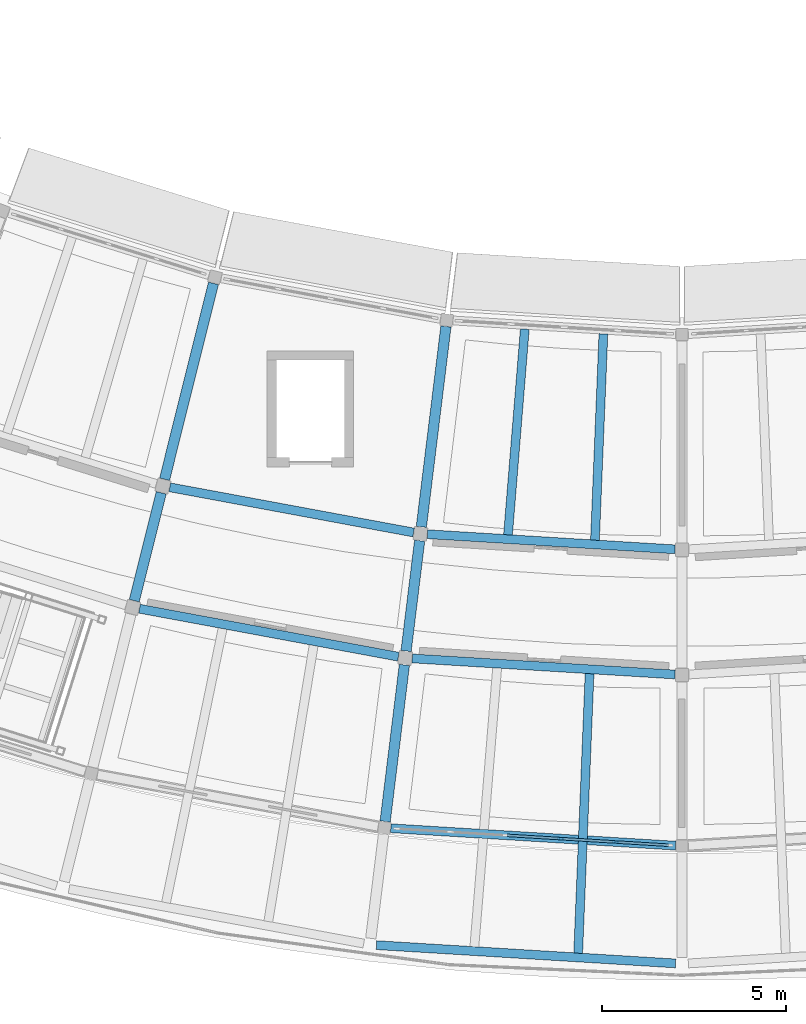
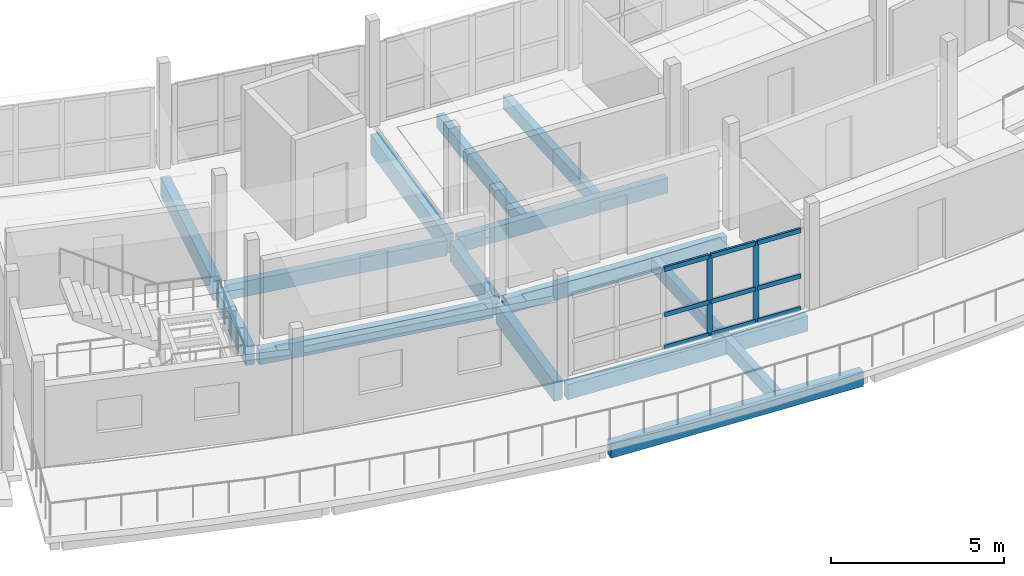
# One storey, part 8 of 24: 14 beams, 11 members, 1 element without a shape of its own.
"""IFC4 building model written with IfcOpenShell, lengths in metres."""

from ifc_helpers import new_model, si_unit, direction, frame, origin, origin_2d, place, context, subcontext, project, spatial, rectangle, extrude, material, layer, layer_set, material_profile, profile_set, type_object, element, aggregate, save


model = new_model("IFC4")

# Units and contexts
model_context = context("Model", 3, precision=1e-05, world=origin(), true_north=direction((0.0, 1.0)))
body_context = subcontext(model_context, "Body", "Model", "MODEL_VIEW")
ifc_project = project(units=[si_unit("LENGTHUNIT", "METRE"), si_unit("AREAUNIT", "SQUARE_METRE"), si_unit("VOLUMEUNIT", "CUBIC_METRE"), si_unit("PLANEANGLEUNIT", "RADIAN"), si_unit("MASSUNIT", "GRAM", prefix="KILO")], contexts=[model_context])

# Site, building, storey
site_placement = place(None, origin())
site = spatial("IfcSite", under=ifc_project, at=site_placement, CompositionType="ELEMENT")
building_placement = place(site_placement, origin())
building = spatial("IfcBuilding", under=site, at=building_placement, Name="Caldaven Crescent School", CompositionType="ELEMENT")
storey_placement = place(building_placement, frame((0.0, 0.0, 15.639892578125)))
storey = spatial("IfcBuildingStorey", under=building, at=storey_placement, Name="L04", CompositionType="ELEMENT", Elevation=15.639892578125)

# Beams
ifc_material_1 = material(Name="Glulam MLE24h (GL28h)", Category="wood")
ifc_material_profile_1 = material_profile(ifc_material_1, rectangle(XDim=0.239990234375, YDim=0.5400390625, at=origin_2d()), Name="MLE 240x540")
ifc_profile_set_1 = profile_set([ifc_material_profile_1], Name="Glulam MLE24h (GL28h)")
beam_type_1 = type_object("IfcBeamType", Name="BM-GL54", PredefinedType="BEAM", material=ifc_profile_set_1)
beam_1_placement = place(storey_placement, frame((74.082763671875, 39.397216796875, -0.5), z_axis=(0.983253161147, -0.182244948064, 0.0), x_axis=(0.182244948064, 0.983253161147, 0.0)))
element("IfcBeam", 1, at=beam_1_placement, inside=storey, type_object=beam_type_1, Name="BMT-V5-L04-1587", PredefinedType="BEAM", context=body_context, shape_type="SweptSolid", body=[
    extrude(rectangle(XDim=0.239990234375, YDim=0.5400390625, at=origin_2d()), origin(), (0.0, 0.0, 1.0), 6.73828125),
])
beam_2_placement = place(storey_placement, frame((73.26025390625, 36.09814453125, -0.5), z_axis=(0.983252570715, -0.182248133551, 0.0), x_axis=(0.182248133551, 0.983252570715, 0.0)))
element("IfcBeam", 2, at=beam_2_placement, inside=storey, type_object=beam_type_1, Name="BMT-V5-L04-1588", PredefinedType="BEAM", context=body_context, shape_type="SweptSolid", body=[
    extrude(rectangle(XDim=0.239990234375, YDim=0.5400390625, at=origin_2d()), origin(), (0.0, 0.0, 1.0), 7.153564453125),
])
beam_3_placement = place(storey_placement, frame((81.084716796875, 38.123046875, -0.5), z_axis=(0.998134594988, -0.061051865564, 0.0), x_axis=(0.061051865564, 0.998134594988, 0.0)))
element("IfcBeam", 3, at=beam_3_placement, inside=storey, type_object=beam_type_1, Name="BMT-V5-L04-1594", PredefinedType="BEAM", context=body_context, shape_type="SweptSolid", body=[
    extrude(rectangle(XDim=0.239990234375, YDim=0.5400390625, at=origin_2d()), origin(), (0.0, 0.0, 1.0), 6.738037109375),
])
beam_4_placement = place(storey_placement, frame((80.67041015625, 34.748291015625, -0.5), z_axis=(0.998134176177, -0.061058712299, 0.0), x_axis=(0.061058712299, 0.998134176177, 0.0)))
element("IfcBeam", 4, at=beam_4_placement, inside=storey, type_object=beam_type_1, Name="BMT-V5-L04-1595", PredefinedType="BEAM", context=body_context, shape_type="SweptSolid", body=[
    extrude(rectangle(XDim=0.239990234375, YDim=0.5400390625, at=origin_2d()), origin(), (0.0, 0.0, 1.0), 7.1533203125),
])
beam_5_placement = place(storey_placement, frame((80.088623046875, 30.1337890625, -0.5), z_axis=(0.998135265601, -0.061040900749, 0.0), x_axis=(0.061040900749, 0.998135265601, 0.0)))
element("IfcBeam", 5, at=beam_5_placement, inside=storey, type_object=beam_type_1, Name="BMT-V5-L04-1596", PredefinedType="BEAM", context=body_context, shape_type="SweptSolid", body=[
    extrude(rectangle(XDim=0.239990234375, YDim=0.5400390625, at=origin_2d()), origin(), (0.0, 0.0, 1.0), 7.751220703125),
])
ifc_material_profile_2 = material_profile(ifc_material_1, rectangle(XDim=0.280029296875, YDim=0.68994140625, at=origin_2d()), Name="MLE 280x690")
ifc_profile_set_2 = profile_set([ifc_material_profile_2], Name="Glulam MLE24h (GL28h)")
beam_type_2 = type_object("IfcBeamType", Name="BM-GL69", PredefinedType="BEAM", material=ifc_profile_set_2)
beam_6_placement = place(storey_placement, frame((75.268798828125, 44.938232421875, -0.574951171875), z_axis=(-0.241917657476, -0.970296782949, 0.0), x_axis=(0.970296782949, -0.241917657476, 0.0)))
element("IfcBeam", 6, at=beam_6_placement, inside=storey, type_object=beam_type_2, Name="BMR-V5-L04-1555", PredefinedType="BEAM", context=body_context, shape_type="SweptSolid", body=[
    extrude(rectangle(XDim=0.280029296875, YDim=0.68994140625, at=origin_2d()), origin(), (0.0, 0.0, 1.0), 5.48486328125),
])
beam_7_placement = place(storey_placement, frame((73.85009765625, 39.247314453125, -0.574951171875), z_axis=(-0.241964922306, -0.9702849975, 0.0), x_axis=(0.9702849975, -0.241964922306, 0.0)))
element("IfcBeam", 7, at=beam_7_placement, inside=storey, type_object=beam_type_2, Name="BMR-V5-L04-1556", PredefinedType="BEAM", context=body_context, shape_type="SweptSolid", body=[
    extrude(rectangle(XDim=0.280029296875, YDim=0.68994140625, at=origin_2d()), origin(), (0.0, 0.0, 1.0), 3.02001953125),
])
beam_8_placement = place(storey_placement, frame((81.586669921875, 43.767333984375, -0.574951171875), z_axis=(-0.121870530698, -0.992546005859, 0.0), x_axis=(0.992546005859, -0.121870530698, 0.0)))
element("IfcBeam", 8, at=beam_8_placement, inside=storey, type_object=beam_type_2, Name="BMR-V5-L04-1559", PredefinedType="BEAM", context=body_context, shape_type="SweptSolid", body=[
    extrude(rectangle(XDim=0.280029296875, YDim=0.68994140625, at=origin_2d()), origin(), (0.0, 0.0, 1.0), 5.48486328125),
])
beam_9_placement = place(storey_placement, frame((80.871826171875, 37.946044921875, -0.574951171875), z_axis=(-0.121825634211, -0.992551517479, 0.0), x_axis=(0.992551517479, -0.121825634211, 0.0)))
element("IfcBeam", 9, at=beam_9_placement, inside=storey, type_object=beam_type_2, Name="BMR-V5-L04-1560", PredefinedType="BEAM", context=body_context, shape_type="SweptSolid", body=[
    extrude(rectangle(XDim=0.280029296875, YDim=0.68994140625, at=origin_2d()), origin(), (0.0, 0.0, 1.0), 3.02001953125),
])
beam_10_placement = place(storey_placement, frame((80.45751953125, 34.5712890625, -0.574951171875), z_axis=(-0.121874560739, -0.992545511019, 0.0), x_axis=(0.992545511019, -0.121874560739, 0.0)))
element("IfcBeam", 10, at=beam_10_placement, inside=storey, type_object=beam_type_2, Name="BMR-V5-L04-1561", PredefinedType="BEAM", context=body_context, shape_type="SweptSolid", body=[
    extrude(rectangle(XDim=0.280029296875, YDim=0.68994140625, at=origin_2d()), origin(), (0.0, 0.0, 1.0), 4.284912109375),
])

# Curtain wall, members
ifc_material_2 = material(Name="Anodised aluminium AA 6063-T6 and low-E double glazing", Category="aluminium")
ifc_layer = layer(ifc_material_2, 0.2099609375)
ifc_layer_set = layer_set([ifc_layer], Name="Anodised aluminium AA 6063-T6 and low-E double glazing")
curtain_wall_type = type_object("IfcCurtainWallType", Name="CW-SYS3", PredefinedType="NOTDEFINED", material=ifc_layer_set)
curtain_wall_placement = place(storey_placement, origin())
curtain_wall = element("IfcCurtainWall", 11, at=curtain_wall_placement, inside=storey, type_object=curtain_wall_type, Name="CW-L04-172", PredefinedType="NOTDEFINED")
ifc_material_3 = material(Name="Anodised aluminium AA 6063-T6", Category="aluminium")
ifc_material_profile_3 = material_profile(ifc_material_3, rectangle(XDim=0.06494140625, YDim=0.179931640625, at=origin_2d()), Name="CWM 65x180")
ifc_profile_set_3 = profile_set([ifc_material_profile_3], Name="Anodised aluminium AA 6063-T6")
member_type_1 = type_object("IfcMemberType", Name="CWM-T2", PredefinedType="MULLION", material=ifc_profile_set_3)
member_1_placement = place(storey_placement, frame((84.705810546875, 29.8515625, 0.0), z_axis=(0.0, 0.0, 1.0), x_axis=(0.061049374755, 0.998134747337, 0.0)))
member_1 = element("IfcMember", 12, at=member_1_placement, type_object=member_type_1, Name="CW3 mullion 4", PredefinedType="MULLION", context=body_context, shape_type="SweptSolid", body=[
    extrude(rectangle(XDim=0.06494140625, YDim=0.179931640625, at=origin_2d()), origin(), (0.0, 0.0, 1.0), 2.820068359375),
])
member_2_placement = place(storey_placement, frame((86.203125, 29.760009765625, 0.0), z_axis=(0.0, 0.0, 1.0), x_axis=(0.061049374755, 0.998134747337, 0.0)))
member_2 = element("IfcMember", 13, at=member_2_placement, type_object=member_type_1, Name="CW3 mullion 5", PredefinedType="MULLION", context=body_context, shape_type="SweptSolid", body=[
    extrude(rectangle(XDim=0.06494140625, YDim=0.179931640625, at=origin_2d()), origin(), (0.0, 0.0, 1.0), 2.820068359375),
])
ifc_material_profile_4 = material_profile(ifc_material_3, rectangle(XDim=0.070068359375, YDim=0.159912109375, at=origin_2d()), Name="CWT 70x160")
ifc_profile_set_4 = profile_set([ifc_material_profile_4], Name="Anodised aluminium AA 6063-T6")
member_type_2 = type_object("IfcMemberType", Name="CWT-T3", PredefinedType="USERDEFINED", material=ifc_profile_set_4)
member_3_placement = place(storey_placement, frame((83.24072265625, 29.941162109375, 0.03515625), z_axis=(0.998133785172, -0.061065103762, 0.0), x_axis=(0.061065103762, 0.998133785172, 0.0)))
member_3 = element("IfcMember", 14, at=member_3_placement, type_object=member_type_2, Name="CW3 transom 3.1", ObjectType="TRANSOM", PredefinedType="USERDEFINED", context=body_context, shape_type="SweptSolid", body=[
    extrude(rectangle(XDim=0.070068359375, YDim=0.159912109375, at=origin_2d()), origin(), (0.0, 0.0, 1.0), 1.435302734375),
])
member_4_placement = place(storey_placement, frame((83.24072265625, 29.941162109375, 1.18408203125), z_axis=(0.998133785172, -0.061065103762, 0.0), x_axis=(0.061065103762, 0.998133785172, 0.0)))
member_4 = element("IfcMember", 15, at=member_4_placement, type_object=member_type_2, Name="CW3 transom 3.2", ObjectType="TRANSOM", PredefinedType="USERDEFINED", context=body_context, shape_type="SweptSolid", body=[
    extrude(rectangle(XDim=0.070068359375, YDim=0.159912109375, at=origin_2d()), origin(), (0.0, 0.0, 1.0), 1.435302734375),
])
member_5_placement = place(storey_placement, frame((83.24072265625, 29.941162109375, 2.78515625), z_axis=(0.998133785172, -0.061065103762, 0.0), x_axis=(0.061065103762, 0.998133785172, 0.0)))
member_5 = element("IfcMember", 16, at=member_5_placement, type_object=member_type_2, Name="CW3 transom 3.3", ObjectType="TRANSOM", PredefinedType="USERDEFINED", context=body_context, shape_type="SweptSolid", body=[
    extrude(rectangle(XDim=0.070068359375, YDim=0.159912109375, at=origin_2d()), origin(), (0.0, 0.0, 1.0), 1.435302734375),
])
member_6_placement = place(storey_placement, frame((84.738037109375, 29.849609375, 0.03515625), z_axis=(0.998133785172, -0.061065103762, 0.0), x_axis=(0.061065103762, 0.998133785172, 0.0)))
member_6 = element("IfcMember", 17, at=member_6_placement, type_object=member_type_2, Name="CW3 transom 4.1", ObjectType="TRANSOM", PredefinedType="USERDEFINED", context=body_context, shape_type="SweptSolid", body=[
    extrude(rectangle(XDim=0.070068359375, YDim=0.159912109375, at=origin_2d()), origin(), (0.0, 0.0, 1.0), 1.435302734375),
])
member_7_placement = place(storey_placement, frame((84.738037109375, 29.849609375, 1.18408203125), z_axis=(0.998133785172, -0.061065103762, 0.0), x_axis=(0.061065103762, 0.998133785172, 0.0)))
member_7 = element("IfcMember", 18, at=member_7_placement, type_object=member_type_2, Name="CW3 transom 4.2", ObjectType="TRANSOM", PredefinedType="USERDEFINED", context=body_context, shape_type="SweptSolid", body=[
    extrude(rectangle(XDim=0.070068359375, YDim=0.159912109375, at=origin_2d()), origin(), (0.0, 0.0, 1.0), 1.435302734375),
])
member_8_placement = place(storey_placement, frame((84.738037109375, 29.849609375, 2.78515625), z_axis=(0.998133785172, -0.061065103762, 0.0), x_axis=(0.061065103762, 0.998133785172, 0.0)))
member_8 = element("IfcMember", 19, at=member_8_placement, type_object=member_type_2, Name="CW3 transom 4.3", ObjectType="TRANSOM", PredefinedType="USERDEFINED", context=body_context, shape_type="SweptSolid", body=[
    extrude(rectangle(XDim=0.070068359375, YDim=0.159912109375, at=origin_2d()), origin(), (0.0, 0.0, 1.0), 1.435302734375),
])
member_9_placement = place(storey_placement, frame((86.235595703125, 29.7578125, 0.03515625), z_axis=(0.998142930473, -0.060915436036, 0.0), x_axis=(0.060915436036, 0.998142930473, 0.0)))
member_9 = element("IfcMember", 20, at=member_9_placement, type_object=member_type_2, Name="CW3 transom 5.1", ObjectType="TRANSOM", PredefinedType="USERDEFINED", context=body_context, shape_type="SweptSolid", body=[
    extrude(rectangle(XDim=0.070068359375, YDim=0.159912109375, at=origin_2d()), origin(), (0.0, 0.0, 1.0), 1.40283203125),
])
member_10_placement = place(storey_placement, frame((86.235595703125, 29.7578125, 1.18408203125), z_axis=(0.998142930473, -0.060915436036, 0.0), x_axis=(0.060915436036, 0.998142930473, 0.0)))
member_10 = element("IfcMember", 21, at=member_10_placement, type_object=member_type_2, Name="CW3 transom 5.2", ObjectType="TRANSOM", PredefinedType="USERDEFINED", context=body_context, shape_type="SweptSolid", body=[
    extrude(rectangle(XDim=0.070068359375, YDim=0.159912109375, at=origin_2d()), origin(), (0.0, 0.0, 1.0), 1.40283203125),
])
member_11_placement = place(storey_placement, frame((86.235595703125, 29.7578125, 2.78515625), z_axis=(0.998142930473, -0.060915436036, 0.0), x_axis=(0.060915436036, 0.998142930473, 0.0)))
member_11 = element("IfcMember", 22, at=member_11_placement, type_object=member_type_2, Name="CW3 transom 5.3", ObjectType="TRANSOM", PredefinedType="USERDEFINED", context=body_context, shape_type="SweptSolid", body=[
    extrude(rectangle(XDim=0.070068359375, YDim=0.159912109375, at=origin_2d()), origin(), (0.0, 0.0, 1.0), 1.40283203125),
])
aggregate(curtain_wall, [member_1, member_2, member_3, member_4, member_5, member_6, member_7, member_8, member_9, member_10, member_11])

# Beams
ifc_material_profile_5 = material_profile(ifc_material_1, rectangle(XDim=0.239990234375, YDim=0.47998046875, at=origin_2d()), Name="MLE 240x480")
ifc_profile_set_5 = profile_set([ifc_material_profile_5], Name="Glulam MLE24h (GL28h)")
beam_type_3 = type_object("IfcBeamType", Name="JS-GL48", PredefinedType="JOIST", material=ifc_profile_set_5)
for number, where, z_axis, x_axis, name in (
    (23, (83.729248046875, 43.696044921875, -0.469970703125), (-0.081374360202, -0.996683607521, 0.0), (0.996683607521, -0.081374360202, 0.0), "JSR-V5-L04-1598"),
    (24, (85.86474609375, 43.5654296875, -0.469970703125), (-0.040730946432, -0.999170150676, 0.0), (0.999170150676, -0.040730946432, 0.0), "JSR-V5-L04-1600"),
):
    element("IfcBeam", number, at=place(storey_placement, frame(where, z_axis=z_axis, x_axis=x_axis)), inside=storey, type_object=beam_type_3, Name=name, PredefinedType="JOIST", context=body_context, shape_type="SweptSolid", body=[
        extrude(rectangle(XDim=0.239990234375, YDim=0.47998046875, at=origin_2d()), origin(), (0.0, 0.0, 1.0), 5.6103515625),
    ])
beam_11_placement = place(storey_placement, frame((85.48876953125, 34.33837890625, -0.469970703125), z_axis=(-0.040664012435, -0.99917287698, 0.0), x_axis=(0.99917287698, -0.040664012435, 0.0)))
element("IfcBeam", 25, at=beam_11_placement, inside=storey, type_object=beam_type_3, Name="JSR-V5-L04-1601", PredefinedType="JOIST", context=body_context, shape_type="SweptSolid", body=[
    extrude(rectangle(XDim=0.239990234375, YDim=0.47998046875, at=origin_2d()), origin(), (0.0, 0.0, 1.0), 7.60693359375),
])
ifc_material_profile_6 = material_profile(ifc_material_1, rectangle(XDim=0.239990234375, YDim=0.5400390625, at=origin_2d()), Name="MLE 240x540")
ifc_profile_set_6 = profile_set([ifc_material_profile_6], Name="Glulam MLE24h (GL28h)")
beam_type_4 = type_object("IfcBeamType", Name="SP-GL54", PredefinedType="SPANDREL", material=ifc_profile_set_6)
beam_12_placement = place(storey_placement, frame((79.69873046875, 26.957763671875, -0.5), z_axis=(0.998134652496, -0.061050925361, 0.0), x_axis=(0.061050925361, 0.998134652496, 0.0)))
element("IfcBeam", 26, at=beam_12_placement, inside=storey, type_object=beam_type_4, Name="BMT-V5-L04-1597", PredefinedType="SPANDREL", context=body_context, shape_type="SweptSolid", body=[
    extrude(rectangle(XDim=0.239990234375, YDim=0.5400390625, at=origin_2d()), origin(), (0.0, 0.0, 1.0), 8.141845703125),
])

save(model, "model.ifc")
